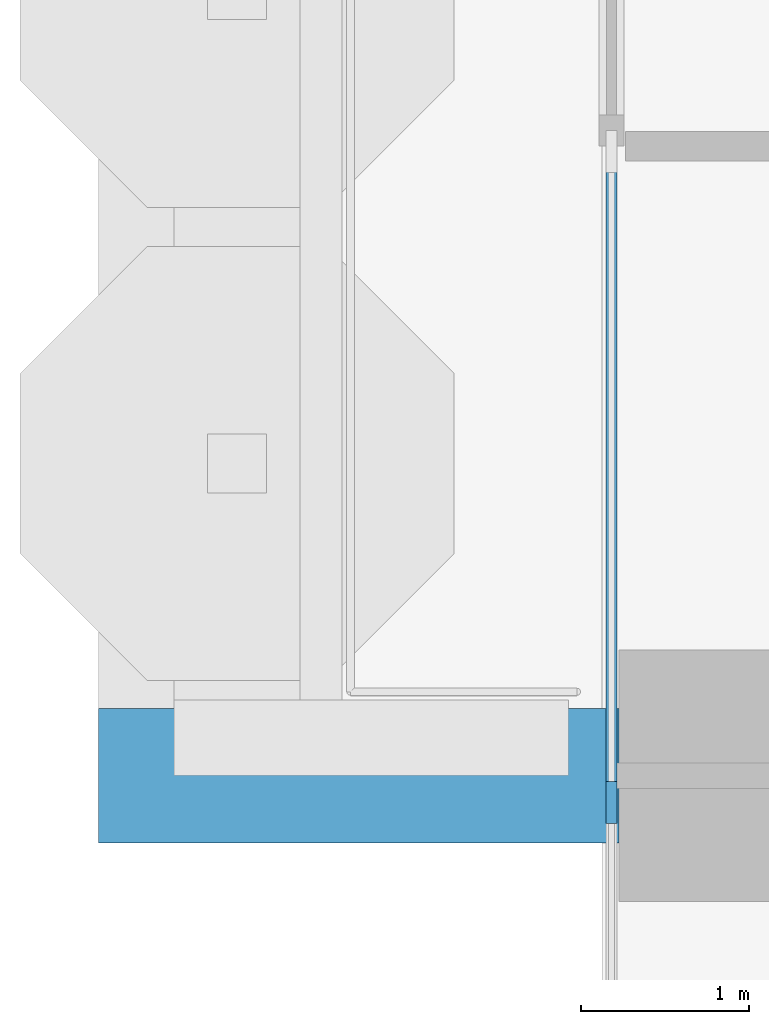
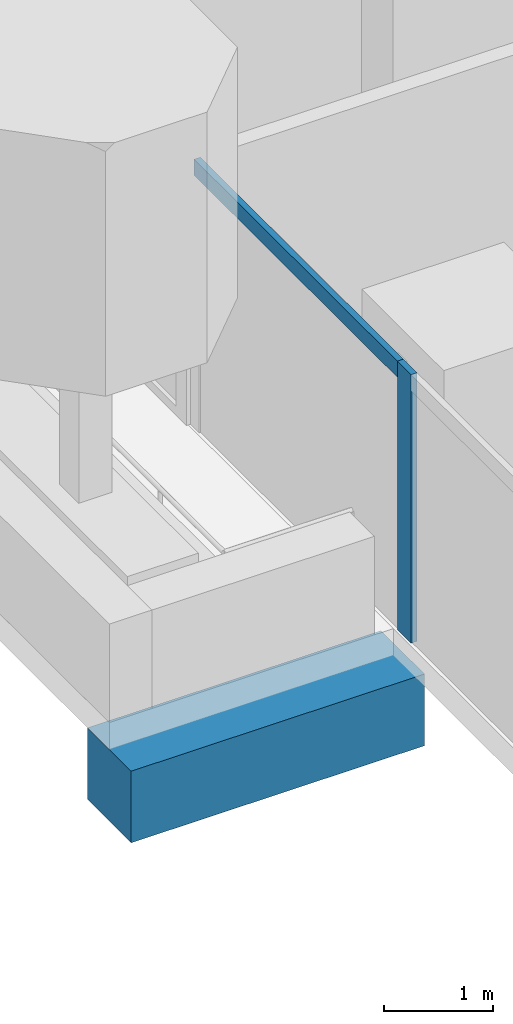
# One storey, part 3 of 18: 2 members, 1 beam, 1 element without a shape of its own.
"""IFC4 building model written with IfcOpenShell, lengths in metres."""

from ifc_helpers import new_model, si_unit, direction, frame, origin, origin_2d, place, context, subcontext, project, spatial, rectangle, extrude, material, material_profile, profile_set, type_object, element, aggregate, save


model = new_model("IFC4")

# Units and contexts
model_context = context("Model", 3, precision=1e-05, world=origin(), true_north=direction((0.0, 1.0)))
body_context = subcontext(model_context, "Body", "Model", "MODEL_VIEW")
ifc_project = project(units=[si_unit("LENGTHUNIT", "METRE"), si_unit("AREAUNIT", "SQUARE_METRE"), si_unit("VOLUMEUNIT", "CUBIC_METRE"), si_unit("PLANEANGLEUNIT", "RADIAN"), si_unit("MASSUNIT", "GRAM", prefix="KILO")], contexts=[model_context])

# Site, building, storey
site_placement = place(None, origin())
site = spatial("IfcSite", under=ifc_project, at=site_placement, CompositionType="ELEMENT")
building_placement = place(site_placement, origin())
building = spatial("IfcBuilding", under=site, at=building_placement, Name="Pilkhan Gate Tower", CompositionType="ELEMENT")
storey_placement = place(building_placement, frame((0.0, 0.0, 82.39990234375)))
storey = spatial("IfcBuildingStorey", under=building, at=storey_placement, Name="L19", CompositionType="ELEMENT", Elevation=82.39990234375)

# Beam
ifc_material_1 = material(Name="Concrete C50/60", Category="concrete")
ifc_material_profile_1 = material_profile(ifc_material_1, rectangle(XDim=0.800048828125, YDim=0.800048828125, at=origin_2d()), Name="RC 800x800")
ifc_profile_set_1 = profile_set([ifc_material_profile_1], Name="Concrete C50/60")
beam_type = type_object("IfcBeamType", Name="Cantilever beam CB2 RC 800x800 C50/60", PredefinedType="BEAM", material=ifc_profile_set_1)
beam_placement = place(storey_placement, frame((48.0, 67.5, -0.699951171875), z_axis=(-1.0, 0.0, 0.0), x_axis=(0.0, -1.0, 0.0)))
element("IfcBeam", 1, at=beam_placement, inside=storey, type_object=beam_type, Name="Balcony beam W.1 L19", PredefinedType="BEAM", context=body_context, shape_type="SweptSolid", body=[
    extrude(rectangle(XDim=0.800048828125, YDim=0.800048828125, at=origin_2d()), origin(), (0.0, 0.0, 1.0), 3.10009765625),
])

# Curtain wall, members
ifc_material_2 = material(Name="Pale anodised aluminium, clear low-iron double glazing", Category="aluminium")
curtain_wall_type = type_object("IfcCurtainWallType", Name="Hotel unitised curtain wall CW-H", PredefinedType="USERDEFINED", material=ifc_material_2)
curtain_wall_placement = place(storey_placement, origin())
curtain_wall = element("IfcCurtainWall", 2, at=curtain_wall_placement, inside=storey, type_object=curtain_wall_type, Name="Hotel unitised curtain wall CW-H L19 W", ObjectType="UNITISED CURTAIN WALL", PredefinedType="USERDEFINED")
ifc_material_3 = material(Name="Pale anodised aluminium", Category="aluminium")
ifc_material_profile_2 = material_profile(ifc_material_3, rectangle(XDim=0.06494140625, YDim=0.25, at=origin_2d()), Name="Mullion 250x65")
ifc_profile_set_2 = profile_set([ifc_material_profile_2], Name="Pale anodised aluminium")
member_type_1 = type_object("IfcMemberType", Name="Mullion CW-H 250x65", PredefinedType="MULLION", material=ifc_profile_set_2)
member_1_placement = place(storey_placement, frame((47.955078125, 67.341064453125, 0.0), z_axis=(0.0, 0.0, 1.0), x_axis=(-1.0, 0.0, 0.0)))
member_1 = element("IfcMember", 3, at=member_1_placement, type_object=member_type_1, Name="CW-H mullion 2", PredefinedType="MULLION", context=body_context, shape_type="SweptSolid", body=[
    extrude(rectangle(XDim=0.06494140625, YDim=0.25, at=origin_2d()), origin(), (0.0, 0.0, 1.0), 3.0),
])
ifc_material_profile_3 = material_profile(ifc_material_3, rectangle(XDim=0.06494140625, YDim=0.179931640625, at=origin_2d()), Name="Transom 180x65")
ifc_profile_set_3 = profile_set([ifc_material_profile_3], Name="Pale anodised aluminium")
member_type_2 = type_object("IfcMemberType", Name="Transom CW-H 180x65", PredefinedType="USERDEFINED", material=ifc_profile_set_3)
member_2_placement = place(storey_placement, frame((47.955078125, 67.37353515625, 2.91015625), z_axis=(0.0, 1.0, 0.0), x_axis=(-1.0, 0.0, 0.0)))
member_2 = element("IfcMember", 4, at=member_2_placement, type_object=member_type_2, Name="CW-H transom 2", ObjectType="TRANSOM", PredefinedType="USERDEFINED", context=body_context, shape_type="SweptSolid", body=[
    extrude(rectangle(XDim=0.06494140625, YDim=0.179931640625, at=origin_2d()), origin(), (0.0, 0.0, 1.0), 3.8115234375),
])
aggregate(curtain_wall, [member_1, member_2])

save(model, "model.ifc")
